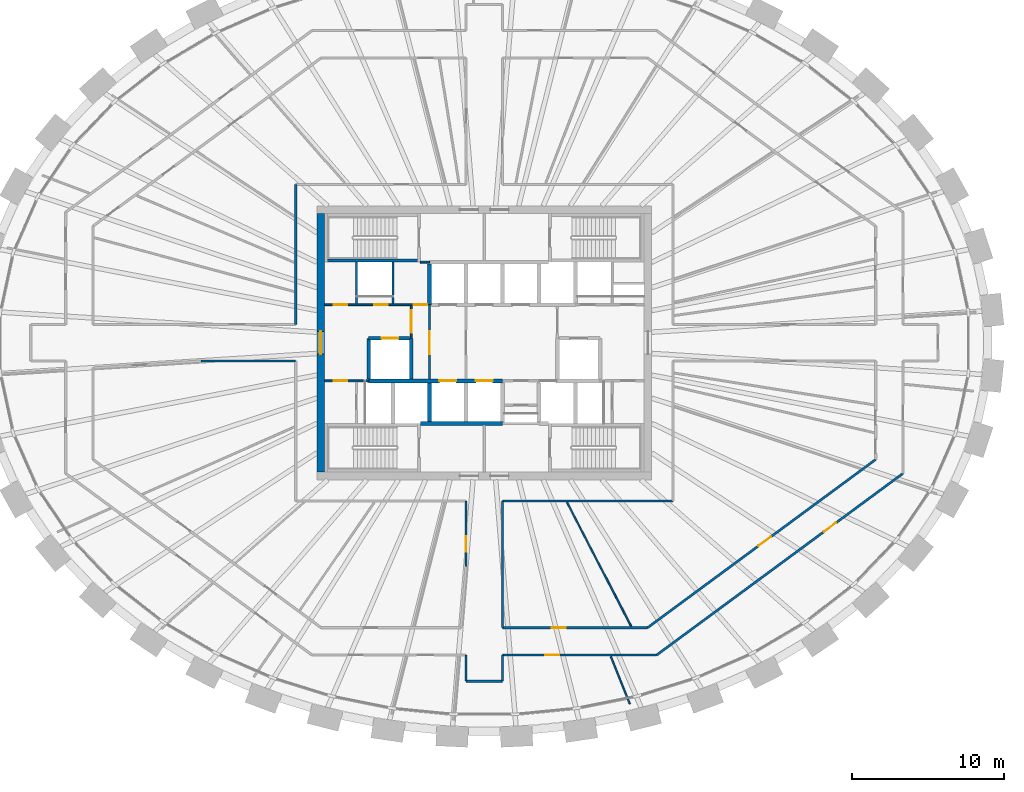
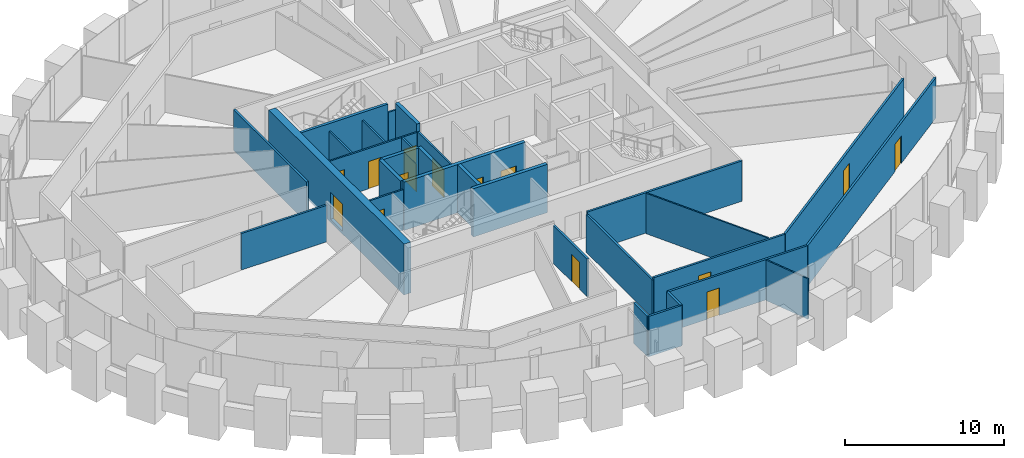
# One storey, part 7 of 12: 30 walls, 15 doors, 15 openings.
"""IFC4 building model written with IfcOpenShell, lengths in metres."""

from ifc_helpers import new_model, si_unit, direction, frame, frame_2d, origin, place, context, subcontext, project, spatial, rectangle, extrude, source, transform, mapped, material, layer, layer_set, type_object, element, fill, save


model = new_model("IFC4")

# Units and contexts
model_context = context("Model", 3, precision=1e-05, world=origin(), true_north=direction((0.0, 1.0)))
body_context = subcontext(model_context, "Body", "Model", "MODEL_VIEW")
ifc_project = project(units=[si_unit("LENGTHUNIT", "METRE"), si_unit("AREAUNIT", "SQUARE_METRE"), si_unit("VOLUMEUNIT", "CUBIC_METRE"), si_unit("PLANEANGLEUNIT", "RADIAN"), si_unit("MASSUNIT", "GRAM", prefix="KILO")], contexts=[model_context])

# Site, building, storey
site_placement = place(None, origin())
site = spatial("IfcSite", under=ifc_project, at=site_placement, CompositionType="ELEMENT")
building_placement = place(site_placement, origin())
building = spatial("IfcBuilding", under=site, at=building_placement, Name="Embergate Tower", CompositionType="ELEMENT")
storey_placement = place(building_placement, frame((0.0, 0.0, 253.89990234375)))
storey = spatial("IfcBuildingStorey", under=building, at=storey_placement, Name="L58", CompositionType="ELEMENT", Elevation=253.89990234375)

# Wall, opening, door
ifc_material_1 = material(Name="Concrete C50", Category="concrete")
ifc_layer_1 = layer(ifc_material_1, 0.5)
ifc_layer_set_1 = layer_set([ifc_layer_1], Name="Concrete C50")
wall_type_1 = type_object("IfcWallType", Name="Core outer wall C50 500", PredefinedType="SHEAR", material=ifc_layer_set_1)
shared_shape_1 = source(origin(), body_context, "Body", "SweptSolid", [
    extrude(rectangle(XDim=17.0, YDim=0.5, at=frame_2d((8.5, 0.0))), origin(), (0.0, 0.0, 1.0), 3.900146484375),
])
wall_1_placement = place(storey_placement, frame((-10.75, -8.5, -0.199951171875), z_axis=(0.0, 0.0, 1.0), x_axis=(0.0, 1.0, 0.0)))
wall_1 = element("IfcWall", 1, at=wall_1_placement, inside=storey, type_object=wall_type_1, Name="CW-L58-W", PredefinedType="SHEAR", context=body_context, shape_type="MappedRepresentation", body=[
    mapped(shared_shape_1, transform((0.0, 0.0, 0.0))),
])
shared_shape_2 = source(origin(), body_context, "Body", "SweptSolid", [
    extrude(rectangle(XDim=1.5, YDim=2.10009765625, at=frame_2d((0.75, 1.050048828125))), frame((0.0, 0.260009765625, 0.0), z_axis=(0.0, -1.0, 0.0), x_axis=(1.0, 0.0, 0.0)), (0.0, 0.0, 1.0), 0.52001953125),
])
opening_1_placement = place(wall_1_placement, frame((7.75, 0.0, 0.199951171875)))
opening_1 = element("IfcOpeningElement", 2, at=opening_1_placement, cuts=wall_1, Name="Opening IF-3", PredefinedType="OPENING", context=body_context, shape_type="MappedRepresentation", body=[
    mapped(shared_shape_2, transform((0.0, 0.0, 0.0))),
])
ifc_material_2 = material(Name="Lobby fire door pair 1500")
door_type_1 = type_object("IfcDoorType", Name="Lobby fire door pair 1500", OperationType="DOUBLE_DOOR_SINGLE_SWING", PredefinedType="DOOR", material=ifc_material_2)
shared_shape_3 = source(origin(), body_context, "Body", "SweptSolid", [
    extrude(rectangle(XDim=1.5, YDim=2.10009765625, at=frame_2d((0.75, 1.050048828125))), frame((0.0, 0.02490234375, 0.0), z_axis=(0.0, -1.0, 0.0), x_axis=(1.0, 0.0, 0.0)), (0.0, 0.0, 1.0), 0.050048828125),
])
door_1_placement = place(opening_1_placement, origin())
door_1 = element("IfcDoor", 3, at=door_1_placement, inside=storey, type_object=door_type_1, Name="IF-3 door", OperationType="DOUBLE_DOOR_SINGLE_SWING", OverallHeight=2.10009765625, OverallWidth=1.5, PredefinedType="DOOR", context=body_context, shape_type="MappedRepresentation", body=[
    mapped(shared_shape_3, transform((0.0, 0.0, 0.0))),
])
fill(opening_1, door_1)

# Walls
ifc_material_3 = material(Name="Core partition blockwork 120")
ifc_layer_2 = layer(ifc_material_3, 0.1201171875)
ifc_layer_set_2 = layer_set([ifc_layer_2], Name="Core partition blockwork 120")
wall_type_2 = type_object("IfcWallType", Name="Core partition blockwork 120", PredefinedType="PARTITIONING", material=ifc_layer_set_2)
shared_shape_4 = source(origin(), body_context, "Body", "SweptSolid", [
    extrude(rectangle(XDim=2.739990234375, YDim=0.1201171875, at=frame_2d((1.3701171875, 0.0))), origin(), (0.0, 0.0, 1.0), 3.10009765625),
])
for number, where, z_axis, x_axis, name in (
    (4, (-6.0, 2.56005859375, 0.0), (0.0, 0.0, 1.0), (0.0, 1.0, 0.0), "IP-3 wall"),
    (5, (-8.39990234375, 5.300048828125, 0.0), (0.0, 0.0, 1.0), (0.0, -1.0, 0.0), "IP-3 wall"),
):
    element("IfcWall", number, at=place(storey_placement, frame(where, z_axis=z_axis, x_axis=x_axis)), inside=storey, type_object=wall_type_2, Name=name, PredefinedType="PARTITIONING", context=body_context, shape_type="MappedRepresentation", body=[
        mapped(shared_shape_4, transform((0.0, 0.0, 0.0))),
    ])
ifc_layer_3 = layer(ifc_material_1, 0.25)
ifc_layer_set_3 = layer_set([ifc_layer_3], Name="Concrete C50")
wall_type_3 = type_object("IfcWallType", Name="Hoistway wall reinforced concrete 250", PredefinedType="SHEAR", material=ifc_layer_set_3)
shared_shape_5 = source(origin(), body_context, "Body", "SweptSolid", [
    extrude(rectangle(XDim=2.675048828125, YDim=0.25, at=frame_2d((1.33740234375, 0.0))), origin(), (0.0, 0.0, 1.0), 3.7001953125),
])
for number, where, z_axis, x_axis, name in (
    (6, (-3.60009765625, 5.175048828125, 0.0), (0.0, 0.0, 1.0), (0.0, -1.0, 0.0), "HW-1 wall"),
    (7, (-4.800048828125, 0.300048828125, 0.0), (0.0, 0.0, 1.0), (0.0, -1.0, 0.0), "HW-1 wall"),
):
    element("IfcWall", number, at=place(storey_placement, frame(where, z_axis=z_axis, x_axis=x_axis)), inside=storey, type_object=wall_type_3, Name=name, PredefinedType="SHEAR", context=body_context, shape_type="MappedRepresentation", body=[
        mapped(shared_shape_5, transform((0.0, 0.0, 0.0))),
    ])

# Wall, opening, door
wall_2_placement = place(storey_placement, frame((-4.925048828125, 0.300048828125, 0.0), z_axis=(0.0, 0.0, 1.0), x_axis=(-1.0, 0.0, 0.0)))
wall_2 = element("IfcWall", 8, at=wall_2_placement, inside=storey, type_object=wall_type_3, Name="HW-1 wall", PredefinedType="SHEAR", context=body_context, shape_type="MappedRepresentation", body=[
    mapped(shared_shape_5, transform((0.0, 0.0, 0.0))),
])
shared_shape_6 = source(origin(), body_context, "Body", "SweptSolid", [
    extrude(rectangle(XDim=1.10009765625, YDim=2.10009765625, at=frame_2d((0.550048828125, 1.050048828125))), frame((0.0, 0.135009765625, 0.0), z_axis=(0.0, -1.0, 0.0), x_axis=(1.0, 0.0, 0.0)), (0.0, 0.0, 1.0), 0.27001953125),
])
opening_2_placement = place(wall_2_placement, frame((0.72509765625, 0.0, 0.0)))
opening_2 = element("IfcOpeningElement", 9, at=opening_2_placement, cuts=wall_2, Name="Opening LD", PredefinedType="OPENING", context=body_context, shape_type="MappedRepresentation", body=[
    mapped(shared_shape_6, transform((0.0, 0.0, 0.0))),
])
ifc_material_4 = material(Name="Landing door sliding 1100")
door_type_2 = type_object("IfcDoorType", Name="Landing door sliding 1100", OperationType="SLIDING_TO_LEFT", PredefinedType="DOOR", material=ifc_material_4)
shared_shape_7 = source(origin(), body_context, "Body", "SweptSolid", [
    extrude(rectangle(XDim=1.10009765625, YDim=2.10009765625, at=frame_2d((0.550048828125, 1.050048828125))), frame((0.0, 0.02490234375, 0.0), z_axis=(0.0, -1.0, 0.0), x_axis=(1.0, 0.0, 0.0)), (0.0, 0.0, 1.0), 0.050048828125),
])
door_2_placement = place(opening_2_placement, origin())
door_2 = element("IfcDoor", 10, at=door_2_placement, inside=storey, type_object=door_type_2, Name="LD door", OperationType="SLIDING_TO_RIGHT", OverallHeight=2.10009765625, OverallWidth=1.10009765625, PredefinedType="DOOR", context=body_context, shape_type="MappedRepresentation", body=[
    mapped(shared_shape_7, transform((0.0, 0.0, 0.0))),
])
fill(opening_2, door_2)

# Walls
wall_3_placement = place(storey_placement, frame((-7.60009765625, 0.300048828125, 0.0), z_axis=(0.0, 0.0, 1.0), x_axis=(0.0, -1.0, 0.0)))
element("IfcWall", 11, at=wall_3_placement, inside=storey, type_object=wall_type_3, Name="HW-1 wall", PredefinedType="SHEAR", context=body_context, shape_type="MappedRepresentation", body=[
    mapped(shared_shape_5, transform((0.0, 0.0, 0.0))),
])
ifc_layer_4 = layer(ifc_material_1, 0.199951171875)
ifc_layer_set_4 = layer_set([ifc_layer_4], Name="Concrete C50")
wall_type_4 = type_object("IfcWallType", Name="Stair enclosure wall reinforced concrete 250", PredefinedType="SHEAR", material=ifc_layer_set_4)
shared_shape_8 = source(origin(), body_context, "Body", "SweptSolid", [
    extrude(rectangle(XDim=6.300048828125, YDim=0.199951171875, at=frame_2d((3.14990234375, 0.0))), origin(), (0.0, 0.0, 1.0), 3.7001953125),
])
wall_4_placement = place(storey_placement, frame((-4.199951171875, 5.39990234375, 0.0), z_axis=(0.0, 0.0, 1.0), x_axis=(-1.0, 0.0, 0.0)))
element("IfcWall", 12, at=wall_4_placement, inside=storey, type_object=wall_type_4, Name="SE-1 wall", PredefinedType="SHEAR", context=body_context, shape_type="MappedRepresentation", body=[
    mapped(shared_shape_8, transform((0.0, 0.0, 0.0))),
])
shared_shape_9 = source(origin(), body_context, "Body", "SweptSolid", [
    extrude(rectangle(XDim=2.550048828125, YDim=0.25, at=frame_2d((1.27490234375, 0.0))), origin(), (0.0, 0.0, 1.0), 3.7001953125),
])
wall_5_placement = place(storey_placement, frame((-3.60009765625, -5.175048828125, 0.0), z_axis=(0.0, 0.0, 1.0), x_axis=(0.0, 1.0, 0.0)))
element("IfcWall", 13, at=wall_5_placement, inside=storey, type_object=wall_type_3, Name="HW-1 wall", PredefinedType="SHEAR", context=body_context, shape_type="MappedRepresentation", body=[
    mapped(shared_shape_9, transform((0.0, 0.0, 0.0))),
])

# Wall, opening, door
ifc_material_5 = material(Name="Corridor wall dry-lined 150")
ifc_layer_5 = layer(ifc_material_5, 0.14990234375)
ifc_layer_set_5 = layer_set([ifc_layer_5], Name="Corridor wall dry-lined 150")
wall_type_5 = type_object("IfcWallType", Name="Corridor wall dry-lined 150", PredefinedType="PARTITIONING", material=ifc_layer_set_5)
shared_shape_10 = source(origin(), body_context, "Body", "SweptSolid", [
    extrude(rectangle(XDim=20.116455078125, YDim=0.14990234375, at=frame_2d((10.05810546875, 0.0))), origin(), (0.0, 0.0, 1.0), 3.10009765625),
])
wall_6_placement = place(storey_placement, frame((11.319091796875, -20.51806640625, 0.0), z_axis=(0.0, 0.0, 1.0), x_axis=(0.804910001979, 0.593396906559, 0.0)))
wall_6 = element("IfcWall", 14, at=wall_6_placement, inside=storey, type_object=wall_type_5, Name="IP-2 wall", PredefinedType="PARTITIONING", context=body_context, shape_type="MappedRepresentation", body=[
    mapped(shared_shape_10, transform((0.0, 0.0, 0.0))),
])
shared_shape_11 = source(origin(), body_context, "Body", "SweptSolid", [
    extrude(rectangle(XDim=1.0, YDim=2.10009765625, at=frame_2d((0.5, 1.050048828125))), frame((0.0, 0.0849609375, 0.0), z_axis=(0.0, -1.0, 0.0), x_axis=(1.0, 0.0, 0.0)), (0.0, 0.0, 1.0), 0.169921875),
])
opening_3_placement = place(wall_6_placement, frame((13.658447265625, 0.0, 0.0)))
opening_3 = element("IfcOpeningElement", 15, at=opening_3_placement, cuts=wall_6, Name="Opening ID-2", PredefinedType="OPENING", context=body_context, shape_type="MappedRepresentation", body=[
    mapped(shared_shape_11, transform((0.0, 0.0, 0.0))),
])
ifc_material_6 = material(Name="Interior door 1000")
door_type_3 = type_object("IfcDoorType", Name="Interior door 1000", OperationType="SINGLE_SWING_LEFT", PredefinedType="DOOR", material=ifc_material_6)
shared_shape_12 = source(origin(), body_context, "Body", "SweptSolid", [
    extrude(rectangle(XDim=1.0, YDim=2.10009765625, at=frame_2d((0.5, 1.050048828125))), frame((0.0, 0.02490234375, 0.0), z_axis=(0.0, -1.0, 0.0), x_axis=(1.0, 0.0, 0.0)), (0.0, 0.0, 1.0), 0.050048828125),
])
door_3_placement = place(opening_3_placement, origin())
door_3 = element("IfcDoor", 16, at=door_3_placement, inside=storey, type_object=door_type_3, Name="ID-2 door", OperationType="SINGLE_SWING_LEFT", OverallHeight=2.10009765625, OverallWidth=1.0, PredefinedType="DOOR", context=body_context, shape_type="MappedRepresentation", body=[
    mapped(shared_shape_12, transform((0.0, 0.0, 0.0))),
])
fill(opening_3, door_3)

shared_shape_13 = source(origin(), body_context, "Body", "SweptSolid", [
    extrude(rectangle(XDim=18.615966796875, YDim=0.14990234375, at=frame_2d((9.30810546875, 0.0))), origin(), (0.0, 0.0, 1.0), 3.10009765625),
])
wall_7_placement = place(storey_placement, frame((10.72705078125, -18.718017578125, 0.0), z_axis=(0.0, 0.0, 1.0), x_axis=(0.804892640185, 0.593420456149, 0.0)))
wall_7 = element("IfcWall", 17, at=wall_7_placement, inside=storey, type_object=wall_type_5, Name="IP-2 wall", PredefinedType="PARTITIONING", context=body_context, shape_type="MappedRepresentation", body=[
    mapped(shared_shape_13, transform((0.0, 0.0, 0.0))),
])
opening_4_placement = place(wall_7_placement, frame((9.0712890625, 0.0, 0.0)))
opening_4 = element("IfcOpeningElement", 18, at=opening_4_placement, cuts=wall_7, Name="Opening ID-2", PredefinedType="OPENING", context=body_context, shape_type="MappedRepresentation", body=[
    mapped(shared_shape_11, transform((0.0, 0.0, 0.0))),
])
door_4_placement = place(opening_4_placement, origin())
door_4 = element("IfcDoor", 19, at=door_4_placement, inside=storey, type_object=door_type_3, Name="ID-2 door", OperationType="SINGLE_SWING_LEFT", OverallHeight=2.10009765625, OverallWidth=1.0, PredefinedType="DOOR", context=body_context, shape_type="MappedRepresentation", body=[
    mapped(shared_shape_12, transform((0.0, 0.0, 0.0))),
])
fill(opening_4, door_4)

# Walls
shared_shape_14 = source(origin(), body_context, "Body", "SweptSolid", [
    extrude(rectangle(XDim=6.22998046875, YDim=0.14990234375, at=frame_2d((3.114990234375, 0.0))), origin(), (0.0, 0.0, 1.0), 2.800048828125),
])
wall_8_placement = place(storey_placement, frame((-18.6298828125, -1.199951171875, 0.0), z_axis=(0.0, 0.0, 1.0), x_axis=(1.0, 0.0, 0.0)))
element("IfcWall", 20, at=wall_8_placement, inside=storey, type_object=wall_type_5, Name="IP-2 wall", PredefinedType="PARTITIONING", context=body_context, shape_type="MappedRepresentation", body=[
    mapped(shared_shape_14, transform((0.0, 0.0, 0.0))),
])
shared_shape_15 = source(origin(), body_context, "Body", "SweptSolid", [
    extrude(rectangle(XDim=9.199951171875, YDim=0.14990234375, at=frame_2d((4.60009765625, 0.0))), origin(), (0.0, 0.0, 1.0), 3.10009765625),
])
wall_9_placement = place(storey_placement, frame((-12.39990234375, 10.39990234375, 0.0), z_axis=(0.0, 0.0, 1.0), x_axis=(0.0, -1.0, 0.0)))
element("IfcWall", 21, at=wall_9_placement, inside=storey, type_object=wall_type_5, Name="IP-2 wall", PredefinedType="PARTITIONING", context=body_context, shape_type="MappedRepresentation", body=[
    mapped(shared_shape_15, transform((0.0, 0.0, 0.0))),
])
shared_shape_16 = source(origin(), body_context, "Body", "SweptSolid", [
    extrude(rectangle(XDim=11.199951171875, YDim=0.14990234375, at=frame_2d((5.60009765625, 0.0))), origin(), (0.0, 0.0, 1.0), 3.10009765625),
])
wall_10_placement = place(storey_placement, frame((12.39990234375, -10.39990234375, 0.0), z_axis=(0.0, 0.0, 1.0), x_axis=(-1.0, 0.0, 0.0)))
element("IfcWall", 22, at=wall_10_placement, inside=storey, type_object=wall_type_5, Name="IP-2 wall", PredefinedType="PARTITIONING", context=body_context, shape_type="MappedRepresentation", body=[
    mapped(shared_shape_16, transform((0.0, 0.0, 0.0))),
])

# Wall, opening, door
shared_shape_17 = source(origin(), body_context, "Body", "SweptSolid", [
    extrude(rectangle(XDim=10.119140625, YDim=0.14990234375, at=frame_2d((5.0595703125, 0.0))), origin(), (0.0, 0.0, 1.0), 3.10009765625),
])
wall_11_placement = place(storey_placement, frame((11.319091796875, -20.51806640625, 0.0), z_axis=(0.0, 0.0, 1.0), x_axis=(-1.0, 0.0, 0.0)))
wall_11 = element("IfcWall", 23, at=wall_11_placement, inside=storey, type_object=wall_type_5, Name="IP-2 wall", PredefinedType="PARTITIONING", context=body_context, shape_type="MappedRepresentation", body=[
    mapped(shared_shape_17, transform((0.0, 0.0, 0.0))),
])
shared_shape_18 = source(origin(), body_context, "Body", "SweptSolid", [
    extrude(rectangle(XDim=0.89990234375, YDim=2.10009765625, at=frame_2d((0.449951171875, 1.050048828125))), frame((0.0, 0.0849609375, 0.0), z_axis=(0.0, -1.0, 0.0), x_axis=(1.0, 0.0, 0.0)), (0.0, 0.0, 1.0), 0.169921875),
])
opening_5_placement = place(wall_11_placement, frame((6.41064453125, 0.0, 0.0)))
opening_5 = element("IfcOpeningElement", 24, at=opening_5_placement, cuts=wall_11, Name="Opening IF-1c", PredefinedType="OPENING", context=body_context, shape_type="MappedRepresentation", body=[
    mapped(shared_shape_18, transform((0.0, 0.0, 0.0))),
])
ifc_material_7 = material(Name="Escape fire door 900")
door_type_4 = type_object("IfcDoorType", Name="Escape fire door 900", OperationType="SINGLE_SWING_LEFT", PredefinedType="DOOR", material=ifc_material_7)
shared_shape_19 = source(origin(), body_context, "Body", "SweptSolid", [
    extrude(rectangle(XDim=0.89990234375, YDim=2.10009765625, at=frame_2d((0.449951171875, 1.050048828125))), frame((0.0, 0.02490234375, 0.0), z_axis=(0.0, -1.0, 0.0), x_axis=(1.0, 0.0, 0.0)), (0.0, 0.0, 1.0), 0.050048828125),
])
door_5_placement = place(opening_5_placement, origin())
door_5 = element("IfcDoor", 25, at=door_5_placement, inside=storey, type_object=door_type_4, Name="IF-1 door", OperationType="SINGLE_SWING_RIGHT", OverallHeight=2.10009765625, OverallWidth=0.89990234375, PredefinedType="DOOR", context=body_context, shape_type="MappedRepresentation", body=[
    mapped(shared_shape_19, transform((0.0, 0.0, 0.0))),
])
fill(opening_5, door_5)

# Walls
shared_shape_20 = source(origin(), body_context, "Body", "SweptSolid", [
    extrude(rectangle(XDim=1.7158203125, YDim=0.14990234375, at=frame_2d((0.85791015625, 0.0))), origin(), (0.0, 0.0, 1.0), 3.10009765625),
])
for number, where, z_axis, x_axis, name in (
    (26, (1.199951171875, -20.51806640625, 0.0), (0.0, 0.0, 1.0), (0.0, -1.0, 0.0), "IP-2 wall"),
    (27, (-1.199951171875, -22.23388671875, 0.0), (0.0, 0.0, 1.0), (0.0, 1.0, 0.0), "IP-2 wall"),
):
    element("IfcWall", number, at=place(storey_placement, frame(where, z_axis=z_axis, x_axis=x_axis)), inside=storey, type_object=wall_type_5, Name=name, PredefinedType="PARTITIONING", context=body_context, shape_type="MappedRepresentation", body=[
        mapped(shared_shape_20, transform((0.0, 0.0, 0.0))),
    ])
shared_shape_21 = source(origin(), body_context, "Body", "SweptSolid", [
    extrude(rectangle(XDim=2.39990234375, YDim=0.14990234375, at=frame_2d((1.199951171875, 0.0))), origin(), (0.0, 0.0, 1.0), 3.10009765625),
])
wall_12_placement = place(storey_placement, frame((1.199951171875, -22.23388671875, 0.0), z_axis=(0.0, 0.0, 1.0), x_axis=(-1.0, 0.0, 0.0)))
element("IfcWall", 28, at=wall_12_placement, inside=storey, type_object=wall_type_5, Name="IP-2 wall", PredefinedType="PARTITIONING", context=body_context, shape_type="MappedRepresentation", body=[
    mapped(shared_shape_21, transform((0.0, 0.0, 0.0))),
])

# Wall, opening, door
shared_shape_22 = source(origin(), body_context, "Body", "SweptSolid", [
    extrude(rectangle(XDim=9.527099609375, YDim=0.14990234375, at=frame_2d((4.763671875, 0.0))), origin(), (0.0, 0.0, 1.0), 3.10009765625),
])
wall_13_placement = place(storey_placement, frame((1.199951171875, -18.718017578125, 0.0), z_axis=(0.0, 0.0, 1.0), x_axis=(1.0, 0.0, 0.0)))
wall_13 = element("IfcWall", 29, at=wall_13_placement, inside=storey, type_object=wall_type_5, Name="IP-2 wall", PredefinedType="PARTITIONING", context=body_context, shape_type="MappedRepresentation", body=[
    mapped(shared_shape_22, transform((0.0, 0.0, 0.0))),
])
opening_6_placement = place(wall_13_placement, frame((3.238037109375, 0.0, 0.0)))
opening_6 = element("IfcOpeningElement", 30, at=opening_6_placement, cuts=wall_13, Name="Opening IF-1c", PredefinedType="OPENING", context=body_context, shape_type="MappedRepresentation", body=[
    mapped(shared_shape_18, transform((0.0, 0.0, 0.0))),
])
door_6_placement = place(opening_6_placement, origin())
door_6 = element("IfcDoor", 31, at=door_6_placement, inside=storey, type_object=door_type_4, Name="IF-1 door", OperationType="SINGLE_SWING_LEFT", OverallHeight=2.10009765625, OverallWidth=0.89990234375, PredefinedType="DOOR", context=body_context, shape_type="MappedRepresentation", body=[
    mapped(shared_shape_19, transform((0.0, 0.0, 0.0))),
])
fill(opening_6, door_6)

# Walls
ifc_material_8 = material(Name="Partition dry-lined 100")
ifc_layer_6 = layer(ifc_material_8, 0.10009765625)
ifc_layer_set_6 = layer_set([ifc_layer_6], Name="Partition dry-lined 100")
wall_type_6 = type_object("IfcWallType", Name="Partition dry-lined 100", PredefinedType="PARTITIONING", material=ifc_layer_set_6)
shared_shape_23 = source(origin(), body_context, "Body", "SweptSolid", [
    extrude(rectangle(XDim=3.35302734375, YDim=0.10009765625, at=frame_2d((1.676513671875, 0.0))), origin(), (0.0, 0.0, 1.0), 3.10009765625),
])
wall_14_placement = place(storey_placement, frame((8.31005859375, -20.611083984375, 0.0), z_axis=(0.0, 0.0, 1.0), x_axis=(0.373950153388, -0.927448803321, 0.0)))
element("IfcWall", 32, at=wall_14_placement, inside=storey, type_object=wall_type_6, Name="IP-1 wall", PredefinedType="PARTITIONING", context=body_context, shape_type="MappedRepresentation", body=[
    mapped(shared_shape_23, transform((0.0, 0.0, 0.0))),
])
shared_shape_24 = source(origin(), body_context, "Body", "SweptSolid", [
    extrude(rectangle(XDim=9.14697265625, YDim=0.10009765625, at=frame_2d((4.573486328125, 0.0))), origin(), (0.0, 0.0, 1.0), 3.10009765625),
])
wall_15_placement = place(storey_placement, frame((5.43798828125, -10.498046875, 0.0), z_axis=(0.0, 0.0, 1.0), x_axis=(0.459936928951, -0.887951587299, 0.0)))
element("IfcWall", 33, at=wall_15_placement, inside=storey, type_object=wall_type_6, Name="IP-1 wall", PredefinedType="PARTITIONING", context=body_context, shape_type="MappedRepresentation", body=[
    mapped(shared_shape_24, transform((0.0, 0.0, 0.0))),
])

# Wall, openings, doors
shared_shape_25 = source(origin(), body_context, "Body", "SweptSolid", [
    extrude(rectangle(XDim=6.77490234375, YDim=0.1201171875, at=frame_2d((3.387451171875, 0.0))), origin(), (0.0, 0.0, 1.0), 3.10009765625),
])
wall_16_placement = place(storey_placement, frame((-10.5, 2.5, 0.0), z_axis=(0.0, 0.0, 1.0), x_axis=(1.0, 0.0, 0.0)))
wall_16 = element("IfcWall", 34, at=wall_16_placement, inside=storey, type_object=wall_type_2, Name="IP-3 wall", PredefinedType="PARTITIONING", context=body_context, shape_type="MappedRepresentation", body=[
    mapped(shared_shape_25, transform((0.0, 0.0, 0.0))),
])
shared_shape_26 = source(origin(), body_context, "Body", "SweptSolid", [
    extrude(rectangle(XDim=0.89990234375, YDim=2.10009765625, at=frame_2d((0.449951171875, 1.050048828125))), frame((0.0, 0.070068359375, 0.0), z_axis=(0.0, -1.0, 0.0), x_axis=(1.0, 0.0, 0.0)), (0.0, 0.0, 1.0), 0.14013671875),
])
opening_7_placement = place(wall_16_placement, frame((3.25, 0.0, 0.0)))
opening_7 = element("IfcOpeningElement", 35, at=opening_7_placement, cuts=wall_16, Name="Opening ID-1", PredefinedType="OPENING", context=body_context, shape_type="MappedRepresentation", body=[
    mapped(shared_shape_26, transform((0.0, 0.0, 0.0))),
])
opening_8_placement = place(wall_16_placement, frame((5.85009765625, 0.0, 0.0)))
opening_8 = element("IfcOpeningElement", 36, at=opening_8_placement, cuts=wall_16, Name="Opening ID-1", PredefinedType="OPENING", context=body_context, shape_type="MappedRepresentation", body=[
    mapped(shared_shape_26, transform((0.0, 0.0, 0.0))),
])
opening_9_placement = place(wall_16_placement, frame((0.60009765625, 0.0, 0.0)))
opening_9 = element("IfcOpeningElement", 37, at=opening_9_placement, cuts=wall_16, Name="Opening ID-1", PredefinedType="OPENING", context=body_context, shape_type="MappedRepresentation", body=[
    mapped(shared_shape_26, transform((0.0, 0.0, 0.0))),
])
ifc_material_9 = material(Name="Interior door 900")
door_type_5 = type_object("IfcDoorType", Name="Interior door 900", OperationType="SINGLE_SWING_LEFT", PredefinedType="DOOR", material=ifc_material_9)
door_7_placement = place(opening_7_placement, origin())
door_7 = element("IfcDoor", 38, at=door_7_placement, inside=storey, type_object=door_type_5, Name="ID-1 door", OperationType="SINGLE_SWING_RIGHT", OverallHeight=2.10009765625, OverallWidth=0.89990234375, PredefinedType="DOOR", context=body_context, shape_type="MappedRepresentation", body=[
    mapped(shared_shape_19, transform((0.0, 0.0, 0.0))),
])
fill(opening_7, door_7)
door_8_placement = place(opening_8_placement, origin())
door_8 = element("IfcDoor", 39, at=door_8_placement, inside=storey, type_object=door_type_5, Name="ID-1 door", OperationType="SINGLE_SWING_LEFT", OverallHeight=2.10009765625, OverallWidth=0.89990234375, PredefinedType="DOOR", context=body_context, shape_type="MappedRepresentation", body=[
    mapped(shared_shape_19, transform((0.0, 0.0, 0.0))),
])
fill(opening_8, door_8)
door_9_placement = place(opening_9_placement, origin())
door_9 = element("IfcDoor", 40, at=door_9_placement, inside=storey, type_object=door_type_5, Name="ID-1 door", OperationType="SINGLE_SWING_LEFT", OverallHeight=2.10009765625, OverallWidth=0.89990234375, PredefinedType="DOOR", context=body_context, shape_type="MappedRepresentation", body=[
    mapped(shared_shape_19, transform((0.0, 0.0, 0.0))),
])
fill(opening_9, door_9)

# Wall, opening, door
shared_shape_27 = source(origin(), body_context, "Body", "SweptSolid", [
    extrude(rectangle(XDim=2.89990234375, YDim=0.1201171875, at=frame_2d((1.449951171875, 0.0))), origin(), (0.0, 0.0, 1.0), 3.10009765625),
])
wall_17_placement = place(storey_placement, frame((-7.60009765625, -2.5, 0.0), z_axis=(0.0, 0.0, 1.0), x_axis=(-1.0, 0.0, 0.0)))
wall_17 = element("IfcWall", 41, at=wall_17_placement, inside=storey, type_object=wall_type_2, Name="IP-3 wall", PredefinedType="PARTITIONING", context=body_context, shape_type="MappedRepresentation", body=[
    mapped(shared_shape_27, transform((0.0, 0.0, 0.0))),
])
opening_10_placement = place(wall_17_placement, frame((1.39990234375, 0.0, 0.0)))
opening_10 = element("IfcOpeningElement", 42, at=opening_10_placement, cuts=wall_17, Name="Opening ID-1", PredefinedType="OPENING", context=body_context, shape_type="MappedRepresentation", body=[
    mapped(shared_shape_26, transform((0.0, 0.0, 0.0))),
])
door_10_placement = place(opening_10_placement, origin())
door_10 = element("IfcDoor", 43, at=door_10_placement, inside=storey, type_object=door_type_5, Name="ID-1 door", OperationType="SINGLE_SWING_RIGHT", OverallHeight=2.10009765625, OverallWidth=0.89990234375, PredefinedType="DOOR", context=body_context, shape_type="MappedRepresentation", body=[
    mapped(shared_shape_19, transform((0.0, 0.0, 0.0))),
])
fill(opening_10, door_10)

shared_shape_28 = source(origin(), body_context, "Body", "SweptSolid", [
    extrude(rectangle(XDim=4.875, YDim=0.1201171875, at=frame_2d((2.4375, 0.0))), origin(), (0.0, 0.0, 1.0), 3.10009765625),
])
wall_18_placement = place(storey_placement, frame((-3.60009765625, -2.375, 0.0), z_axis=(0.0, 0.0, 1.0), x_axis=(0.0, 1.0, 0.0)))
wall_18 = element("IfcWall", 44, at=wall_18_placement, inside=storey, type_object=wall_type_2, Name="IP-3 wall", PredefinedType="PARTITIONING", context=body_context, shape_type="MappedRepresentation", body=[
    mapped(shared_shape_28, transform((0.0, 0.0, 0.0))),
])
shared_shape_29 = source(origin(), body_context, "Body", "SweptSolid", [
    extrude(rectangle(XDim=1.5, YDim=2.10009765625, at=frame_2d((0.75, 1.050048828125))), frame((0.0, 0.070068359375, 0.0), z_axis=(0.0, -1.0, 0.0), x_axis=(1.0, 0.0, 0.0)), (0.0, 0.0, 1.0), 0.14013671875),
])
opening_11_placement = place(wall_18_placement, frame((1.625, 0.0, 0.0)))
opening_11 = element("IfcOpeningElement", 45, at=opening_11_placement, cuts=wall_18, Name="Opening IF-3", PredefinedType="OPENING", context=body_context, shape_type="MappedRepresentation", body=[
    mapped(shared_shape_29, transform((0.0, 0.0, 0.0))),
])
door_11_placement = place(opening_11_placement, origin())
door_11 = element("IfcDoor", 46, at=door_11_placement, inside=storey, type_object=door_type_1, Name="IF-3 door", OperationType="DOUBLE_DOOR_SINGLE_SWING", OverallHeight=2.10009765625, OverallWidth=1.5, PredefinedType="DOOR", context=body_context, shape_type="MappedRepresentation", body=[
    mapped(shared_shape_3, transform((0.0, 0.0, 0.0))),
])
fill(opening_11, door_11)

shared_shape_30 = source(origin(), body_context, "Body", "SweptSolid", [
    extrude(rectangle(XDim=2.139892578125, YDim=0.1201171875, at=frame_2d((1.06982421875, 0.0))), origin(), (0.0, 0.0, 1.0), 3.10009765625),
])
wall_19_placement = place(storey_placement, frame((-4.800048828125, 2.43994140625, 0.0), z_axis=(0.0, 0.0, 1.0), x_axis=(0.0, -1.0, 0.0)))
wall_19 = element("IfcWall", 47, at=wall_19_placement, inside=storey, type_object=wall_type_2, Name="IP-3 wall", PredefinedType="PARTITIONING", context=body_context, shape_type="MappedRepresentation", body=[
    mapped(shared_shape_30, transform((0.0, 0.0, 0.0))),
])
opening_12_placement = place(wall_19_placement, frame((0.2900390625, 0.0, 0.0)))
opening_12 = element("IfcOpeningElement", 48, at=opening_12_placement, cuts=wall_19, Name="Opening IF-3", PredefinedType="OPENING", context=body_context, shape_type="MappedRepresentation", body=[
    mapped(shared_shape_29, transform((0.0, 0.0, 0.0))),
])
door_12_placement = place(opening_12_placement, origin())
door_12 = element("IfcDoor", 49, at=door_12_placement, inside=storey, type_object=door_type_1, Name="IF-3 door", OperationType="DOUBLE_DOOR_SINGLE_SWING", OverallHeight=2.10009765625, OverallWidth=1.5, PredefinedType="DOOR", context=body_context, shape_type="MappedRepresentation", body=[
    mapped(shared_shape_3, transform((0.0, 0.0, 0.0))),
])
fill(opening_12, door_12)

# Wall
shared_shape_31 = source(origin(), body_context, "Body", "SweptSolid", [
    extrude(rectangle(XDim=0.599853515625, YDim=0.1201171875, at=frame_2d((0.2998046875, 0.0))), origin(), (0.0, 0.0, 1.0), 3.10009765625),
])
wall_20_placement = place(storey_placement, frame((-4.199951171875, 5.300048828125, 0.0), z_axis=(0.0, 0.0, 1.0), x_axis=(1.0, 0.0, 0.0)))
element("IfcWall", 50, at=wall_20_placement, inside=storey, type_object=wall_type_2, Name="IP-3 wall", PredefinedType="PARTITIONING", context=body_context, shape_type="MappedRepresentation", body=[
    mapped(shared_shape_31, transform((0.0, 0.0, 0.0))),
])

# Wall, opening, door
shared_shape_32 = source(origin(), body_context, "Body", "SweptSolid", [
    extrude(rectangle(XDim=4.28515625, YDim=0.14990234375, at=frame_2d((2.142578125, 0.0))), origin(), (0.0, 0.0, 1.0), 2.900146484375),
])
wall_21_placement = place(storey_placement, frame((-1.199951171875, -10.39990234375, 0.0), z_axis=(0.0, 0.0, 1.0), x_axis=(0.0, -1.0, 0.0)))
wall_21 = element("IfcWall", 51, at=wall_21_placement, inside=storey, type_object=wall_type_5, Name="IP-2 wall", PredefinedType="PARTITIONING", context=body_context, shape_type="MappedRepresentation", body=[
    mapped(shared_shape_32, transform((0.0, 0.0, 0.0))),
])
opening_13_placement = place(wall_21_placement, frame((2.320068359375, 0.0, 0.0)))
opening_13 = element("IfcOpeningElement", 52, at=opening_13_placement, cuts=wall_21, Name="Opening ID-2", PredefinedType="OPENING", context=body_context, shape_type="MappedRepresentation", body=[
    mapped(shared_shape_11, transform((0.0, 0.0, 0.0))),
])
door_13_placement = place(opening_13_placement, origin())
door_13 = element("IfcDoor", 53, at=door_13_placement, inside=storey, type_object=door_type_3, Name="ID-2 door", OperationType="SINGLE_SWING_RIGHT", OverallHeight=2.10009765625, OverallWidth=1.0, PredefinedType="DOOR", context=body_context, shape_type="MappedRepresentation", body=[
    mapped(shared_shape_12, transform((0.0, 0.0, 0.0))),
])
fill(opening_13, door_13)

# Wall
shared_shape_33 = source(origin(), body_context, "Body", "SweptSolid", [
    extrude(rectangle(XDim=8.318115234375, YDim=0.14990234375, at=frame_2d((4.1591796875, 0.0))), origin(), (0.0, 0.0, 1.0), 2.900146484375),
])
wall_22_placement = place(storey_placement, frame((1.199951171875, -10.39990234375, 0.0), z_axis=(0.0, 0.0, 1.0), x_axis=(0.0, -1.0, 0.0)))
element("IfcWall", 54, at=wall_22_placement, inside=storey, type_object=wall_type_5, Name="IP-2 wall", PredefinedType="PARTITIONING", context=body_context, shape_type="MappedRepresentation", body=[
    mapped(shared_shape_33, transform((0.0, 0.0, 0.0))),
])

# Wall, openings, doors
shared_shape_34 = source(origin(), body_context, "Body", "SweptSolid", [
    extrude(rectangle(XDim=8.800048828125, YDim=0.25, at=frame_2d((4.39990234375, 0.0))), origin(), (0.0, 0.0, 1.0), 3.7001953125),
])
wall_23_placement = place(storey_placement, frame((1.199951171875, -2.5, 0.0), z_axis=(0.0, 0.0, 1.0), x_axis=(-1.0, 0.0, 0.0)))
wall_23 = element("IfcWall", 55, at=wall_23_placement, inside=storey, type_object=wall_type_3, Name="HW-1 wall", PredefinedType="SHEAR", context=body_context, shape_type="MappedRepresentation", body=[
    mapped(shared_shape_34, transform((0.0, 0.0, 0.0))),
])
opening_14_placement = place(wall_23_placement, frame((3.050048828125, 0.0, 0.0)))
opening_14 = element("IfcOpeningElement", 56, at=opening_14_placement, cuts=wall_23, Name="Opening LD", PredefinedType="OPENING", context=body_context, shape_type="MappedRepresentation", body=[
    mapped(shared_shape_6, transform((0.0, 0.0, 0.0))),
])
opening_15_placement = place(wall_23_placement, frame((0.64990234375, 0.0, 0.0)))
opening_15 = element("IfcOpeningElement", 57, at=opening_15_placement, cuts=wall_23, Name="Opening LD", PredefinedType="OPENING", context=body_context, shape_type="MappedRepresentation", body=[
    mapped(shared_shape_6, transform((0.0, 0.0, 0.0))),
])
door_14_placement = place(opening_14_placement, origin())
door_14 = element("IfcDoor", 58, at=door_14_placement, inside=storey, type_object=door_type_2, Name="LD door", OperationType="SLIDING_TO_LEFT", OverallHeight=2.10009765625, OverallWidth=1.10009765625, PredefinedType="DOOR", context=body_context, shape_type="MappedRepresentation", body=[
    mapped(shared_shape_7, transform((0.0, 0.0, 0.0))),
])
fill(opening_14, door_14)
door_15_placement = place(opening_15_placement, origin())
door_15 = element("IfcDoor", 59, at=door_15_placement, inside=storey, type_object=door_type_2, Name="LD door", OperationType="SLIDING_TO_RIGHT", OverallHeight=2.10009765625, OverallWidth=1.10009765625, PredefinedType="DOOR", context=body_context, shape_type="MappedRepresentation", body=[
    mapped(shared_shape_7, transform((0.0, 0.0, 0.0))),
])
fill(opening_15, door_15)

# Wall
shared_shape_35 = source(origin(), body_context, "Body", "SweptSolid", [
    extrude(rectangle(XDim=5.39990234375, YDim=0.25, at=frame_2d((2.699951171875, 0.0))), origin(), (0.0, 0.0, 1.0), 3.7001953125),
])
wall_24_placement = place(storey_placement, frame((-4.199951171875, -5.300048828125, 0.0), z_axis=(0.0, 0.0, 1.0), x_axis=(1.0, 0.0, 0.0)))
element("IfcWall", 60, at=wall_24_placement, inside=storey, type_object=wall_type_3, Name="HW-1 wall", PredefinedType="SHEAR", context=body_context, shape_type="MappedRepresentation", body=[
    mapped(shared_shape_35, transform((0.0, 0.0, 0.0))),
])

save(model, "model.ifc")
